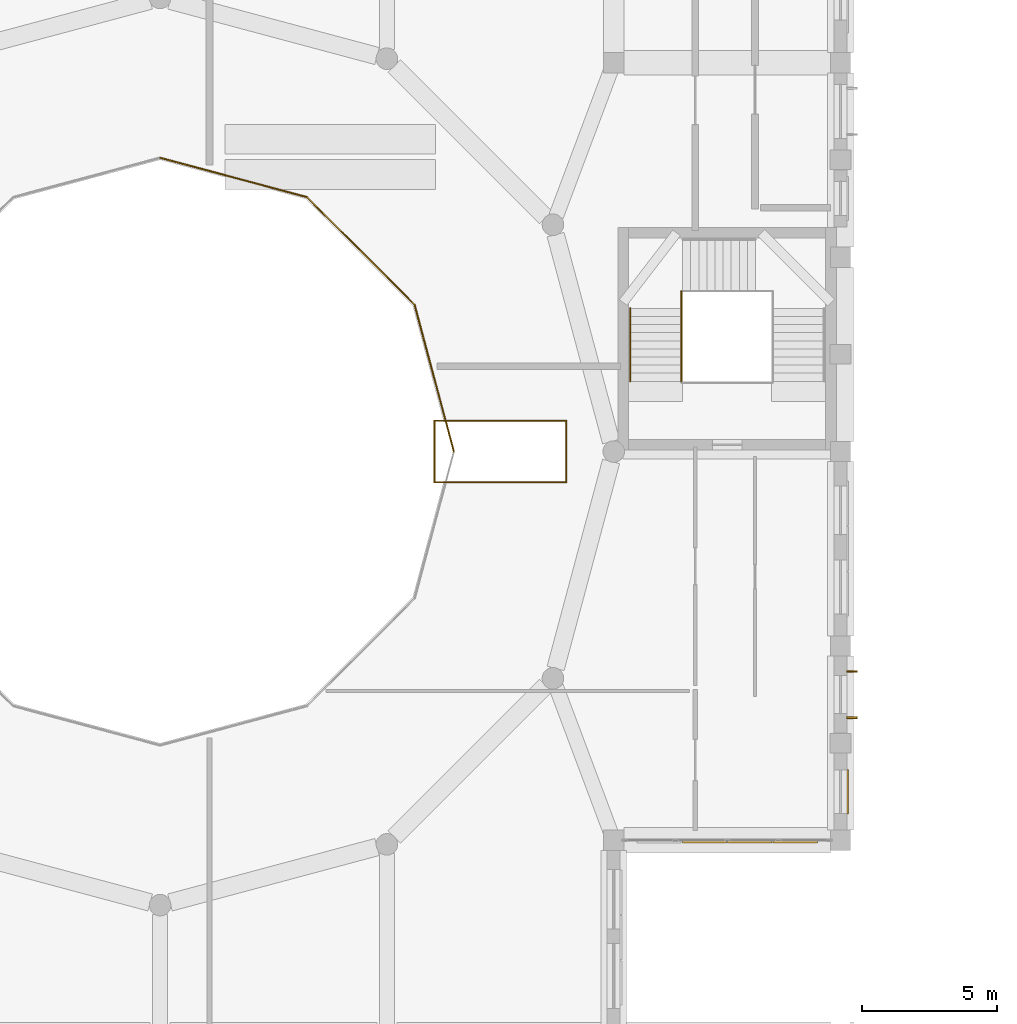
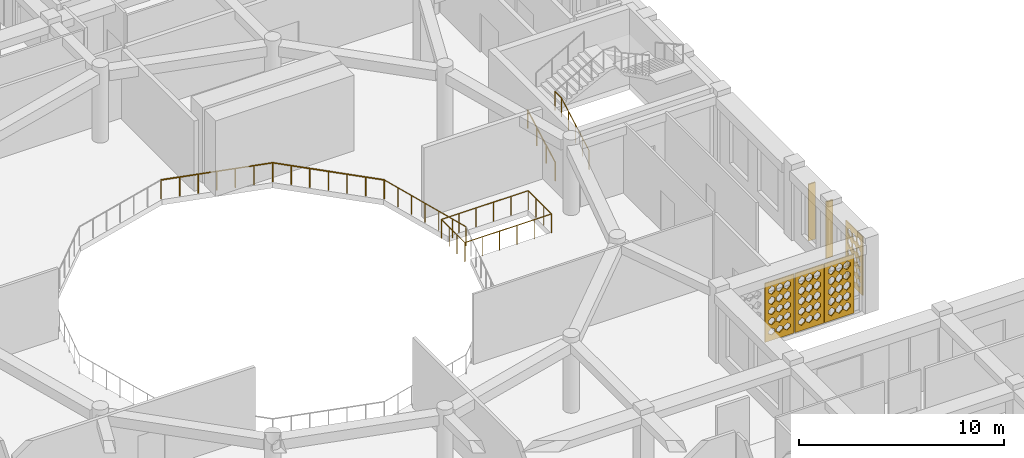
# One storey, part 101 of 121: 9 railings, 4 coverings, 2 shading devices.
"""IFC4 building model written with IfcOpenShell, lengths in metres."""

import ifcopenshell
import ifcopenshell.guid

model = None  # the IFC model being written
_history = None  # IfcOwnerHistory: only IFC2X3 demands one
_inside = {}  # id of a spatial element -> (the spatial element, [elements in it])
_under = {}  # id of a project, library or spatial element -> (it, [spatial elements below it])
_declared = {}  # id of a project -> (the project, [libraries it declares])
_typed = {}  # id of a type object -> (the type object, [elements of that type])
_made_of = {}  # id of a material, layer set ... -> (it, [elements and type objects made of it])


def new_model(schema):
    """Start an empty IFC model of exactly this schema.

    Asked for "IFC4X3", IfcOpenShell would pick the latest addendum, in which some entities
    have other attributes; the version numbers below select the first issue.
    IFC2X3 requires an IfcOwnerHistory on every rooted entity: one is made here for all.
    """
    global model, _history
    if schema == "IFC4X3":
        model = ifcopenshell.file(schema_version=(4, 3, 0, 0))
    else:
        model = ifcopenshell.file(schema=schema)
    _inside.clear()
    _under.clear()
    _declared.clear()
    _typed.clear()
    _made_of.clear()
    _history = None
    if model.schema == "IFC2X3":
        org = make("IfcOrganization", Name="unknown")
        user = make(
            "IfcPersonAndOrganization",
            ThePerson=make("IfcPerson", FamilyName="unknown"),
            TheOrganization=org,
        )
        app = make(
            "IfcApplication",
            ApplicationDeveloper=org,
            Version="unknown",
            ApplicationFullName="unknown",
            ApplicationIdentifier="unknown",
        )
        _history = make(
            "IfcOwnerHistory",
            OwningUser=user,
            OwningApplication=app,
            ChangeAction="ADDED",
            CreationDate=0,
        )
    return model


def make(cls, **values):
    """One entity of the class cls with the attributes given. An attribute that is None is left unset."""
    return model.create_entity(
        cls, **{name: value for name, value in values.items() if value is not None}
    )


def rooted(cls, **values):
    """An entity with a GlobalId (a new one), such as an element, a storey or a relation."""
    return make(cls, GlobalId=ifcopenshell.guid.new(), OwnerHistory=_history, **values)


def si_unit(unit_type, name, prefix=None):
    """IfcSIUnit, for example si_unit("LENGTHUNIT", "METRE", prefix="MILLI")."""
    return make("IfcSIUnit", UnitType=unit_type, Prefix=prefix, Name=name)


def derived_unit(unit_type, elements):
    """IfcDerivedUnit: a product of units, each with its exponent."""
    return make(
        "IfcDerivedUnit",
        Elements=[
            make("IfcDerivedUnitElement", Unit=unit, Exponent=power)
            for unit, power in elements
        ],
        UnitType=unit_type,
    )


def assignment(units):
    """IfcUnitAssignment: the units of a project."""
    return None if units is None else make("IfcUnitAssignment", Units=units)


def point(xyz):
    """IfcCartesianPoint."""
    return None if xyz is None else make("IfcCartesianPoint", Coordinates=xyz)


def direction(xyz):
    """IfcDirection."""
    return None if xyz is None else make("IfcDirection", DirectionRatios=xyz)


def frame(location, z_axis=None, x_axis=None):
    """IfcAxis2Placement3D, a coordinate frame: its origin and axes. An axis left out is left unset."""
    return make(
        "IfcAxis2Placement3D",
        Location=point(location),
        Axis=direction(z_axis),
        RefDirection=direction(x_axis),
    )


def frame_2d(location, x_axis=None):
    """IfcAxis2Placement2D, a coordinate frame in the plane: its origin and x axis."""
    return make(
        "IfcAxis2Placement2D", Location=point(location), RefDirection=direction(x_axis)
    )


def origin():
    """The frame at (0, 0, 0) with its axes left unset."""
    return frame((0.0, 0.0, 0.0))


def origin_2d():
    """The frame at (0, 0) in the plane with its x axis left unset."""
    return frame_2d((0.0, 0.0))


def place(relative_to, where):
    """IfcLocalPlacement: puts the frame where relative to a parent placement (None: the world)."""
    return make(
        "IfcLocalPlacement", PlacementRelTo=relative_to, RelativePlacement=where
    )


def context(
    kind, dimensions, precision=None, world=None, true_north=None, identifier=None
):
    """IfcGeometricRepresentationContext, for example the 3D "Model" context."""
    return make(
        "IfcGeometricRepresentationContext",
        ContextIdentifier=identifier,
        ContextType=kind,
        CoordinateSpaceDimension=dimensions,
        Precision=precision,
        WorldCoordinateSystem=world,
        TrueNorth=true_north,
    )


def subcontext(parent, identifier, kind, view, scale=None):
    """IfcGeometricRepresentationSubContext, for example "Body" below "Model"."""
    return make(
        "IfcGeometricRepresentationSubContext",
        ContextIdentifier=identifier,
        ContextType=kind,
        ParentContext=parent,
        TargetScale=scale,
        TargetView=view,
    )


def project(units=None, contexts=None):
    """IfcProject with its units and contexts."""
    return rooted(
        "IfcProject",
        Name="project",
        RepresentationContexts=contexts,
        UnitsInContext=assignment(units),
    )


def spatial(cls, under=None, at=None, **own):
    """A site, building, storey or space (cls), placed at a placement, below another one or the project."""
    s = rooted(cls, ObjectPlacement=at, **own)
    if under is not None:
        _under.setdefault(under.id(), (under, []))[1].append(s)
    return s


def polyline(points):
    """IfcPolyline through the points."""
    return make("IfcPolyline", Points=[point(p) for p in points])


def profile(cls, at=None, kind="AREA", **sizes):
    """A parametric profile (cls). Its sizes go by their IFC names, for example OverallWidth=200.0."""
    return make(cls, ProfileType=kind, Position=at, **sizes)


def rectangle(**sizes):
    """IfcRectangleProfileDef."""
    return profile("IfcRectangleProfileDef", **sizes)


def circle(**sizes):
    """IfcCircleProfileDef."""
    return profile("IfcCircleProfileDef", **sizes)


def outline(outer, holes=None, kind="AREA"):
    """IfcArbitraryClosedProfileDef: a profile drawn as a closed curve; with holes, ...WithVoids."""
    if holes is None:
        return make("IfcArbitraryClosedProfileDef", ProfileType=kind, OuterCurve=outer)
    return make(
        "IfcArbitraryProfileDefWithVoids",
        ProfileType=kind,
        OuterCurve=outer,
        InnerCurves=holes,
    )


def extrude(swept, where, along, depth):
    """IfcExtrudedAreaSolid: the profile swept, set in the frame where, extruded along a direction by depth."""
    return make(
        "IfcExtrudedAreaSolid",
        SweptArea=swept,
        Position=where,
        ExtrudedDirection=direction(along),
        Depth=depth,
    )


def shape(context_of_items, identifier, shape_type, items):
    """IfcShapeRepresentation: the items that make up one representation, for example the "Body"."""
    return make(
        "IfcShapeRepresentation",
        ContextOfItems=context_of_items,
        RepresentationIdentifier=identifier,
        RepresentationType=shape_type,
        Items=items,
    )


def material(Name=None, Category=None):
    """IfcMaterial."""
    return make("IfcMaterial", Name=Name, Category=Category)


def layer(
    of_material, thickness, ventilated=None, Name=None, Category=None, Priority=None
):
    """IfcMaterialLayer: one layer of a wall or slab, of a material (None: an air gap)."""
    return make(
        "IfcMaterialLayer",
        Material=of_material,
        LayerThickness=thickness,
        IsVentilated=ventilated,
        Name=Name,
        Category=Category,
        Priority=Priority,
    )


def layer_set(layers, Name=None):
    """IfcMaterialLayerSet."""
    return make("IfcMaterialLayerSet", MaterialLayers=layers, LayerSetName=Name)


def made_of(thing, what):
    """Note that an element or type object is made of a material, layer set ...; save() writes the relation."""
    if what is not None:
        _made_of.setdefault(what.id(), (what, []))[1].append(thing)
    return thing


def type_object(cls, material=None, **own):
    """A type object (cls), such as IfcWallType, which elements share."""
    return made_of(rooted(cls, **own), material)


def element(
    cls,
    number,
    at=None,
    inside=None,
    cuts=None,
    type_object=None,
    material=None,
    context=None,
    identifier="Body",
    shape_type=None,
    held_by="IfcProductDefinitionShape",
    body=None,
    shapes=None,
    **own,
):
    """One element of the class cls, such as IfcWall. Its Tag is "e" and its number.

    at: its placement. inside: the storey or other place that contains it. cuts: it is an
    opening in that element (IfcRelVoidsElement). A single representation is given by context,
    identifier, shape_type and body (its items); several are given by shapes. held_by: the class
    of the entity that holds the representations. save() writes the other relations.
    """
    e = rooted(cls, Tag="e%d" % number, ObjectPlacement=at, **own)
    if body is not None:
        shapes = [shape(context, identifier, shape_type, body)]
    if shapes is not None:
        e.Representation = make(held_by, Representations=shapes)
    if inside is not None:
        _inside.setdefault(inside.id(), (inside, []))[1].append(e)
    if cuts is not None:
        rooted(
            "IfcRelVoidsElement", RelatingBuildingElement=cuts, RelatedOpeningElement=e
        )
    if type_object is not None:
        _typed.setdefault(type_object.id(), (type_object, []))[1].append(e)
    return made_of(e, material)


def aggregate(whole, parts):
    """IfcRelAggregates: a whole, such as a stair, and the parts it consists of."""
    return rooted("IfcRelAggregates", RelatingObject=whole, RelatedObjects=parts)


def save(model, path):
    """Write the relations noted so far, then the file.

    IfcRelAggregates (storeys below a building ...), IfcRelContainedInSpatialStructure (elements
    in a storey), IfcRelDefinesByType, IfcRelAssociatesMaterial and IfcRelDeclares: one each for
    every whole, place, type object, material and project.
    """
    for whole, parts in _under.values():
        aggregate(whole, parts)
    for where, things in _inside.values():
        rooted(
            "IfcRelContainedInSpatialStructure",
            RelatedElements=things,
            RelatingStructure=where,
        )
    for kind, things in _typed.values():
        rooted("IfcRelDefinesByType", RelatedObjects=things, RelatingType=kind)
    for what, things in _made_of.values():
        rooted("IfcRelAssociatesMaterial", RelatedObjects=things, RelatingMaterial=what)
    for by, libraries in _declared.values():
        rooted("IfcRelDeclares", RelatingContext=by, RelatedDefinitions=libraries)
    model.write(path)


model = new_model("IFC4")

# Units and contexts
model_context = context("Model", 3, precision=1e-05, world=origin(), true_north=direction((0.0, 1.0)))
body_context = subcontext(model_context, "Body", "Model", "MODEL_VIEW")
ifc_project = project(units=[si_unit("LENGTHUNIT", "METRE"), si_unit("AREAUNIT", "SQUARE_METRE"), si_unit("VOLUMEUNIT", "CUBIC_METRE"), si_unit("PLANEANGLEUNIT", "RADIAN"), si_unit("MASSUNIT", "GRAM", prefix="KILO"), derived_unit("THERMALTRANSMITTANCEUNIT", [(si_unit("POWERUNIT", "WATT"), 1), (si_unit("LENGTHUNIT", "METRE"), -2), (si_unit("THERMODYNAMICTEMPERATUREUNIT", "KELVIN"), -1)])], contexts=[model_context])

# Site, building, storey
site_placement = place(None, origin())
site = spatial("IfcSite", under=ifc_project, at=site_placement, CompositionType="ELEMENT")
building_placement = place(site_placement, origin())
building = spatial("IfcBuilding", under=site, at=building_placement, Name="Veybourne Emporium", CompositionType="ELEMENT")
storey_placement = place(building_placement, frame((0.0, 0.0, 5.39990234375)))
storey = spatial("IfcBuildingStorey", under=building, at=storey_placement, Name="L01", CompositionType="ELEMENT", Elevation=5.39990234375)

# Railings
ifc_material_1 = material(Name="Patinated Architectural Bronze", Category="bronze")
railing_type_1 = type_object("IfcRailingType", Name="Balustrade_BL-01", PredefinedType="BALUSTRADE", material=ifc_material_1)
railing_1_placement = place(storey_placement, frame((86.47998046875, 50.39990234375, 0.0)))
element("IfcRailing", 1, at=railing_1_placement, inside=storey, type_object=railing_type_1, Name="L01 central atrium void balustrade 01", PredefinedType="BALUSTRADE", context=body_context, shape_type="SweptSolid", body=[
    extrude(circle(Radius=0.02392578125, at=origin_2d()), frame((0.0, 0.0, 1.1259765625), z_axis=(-0.25879025426, 0.965933540312, 0.0), x_axis=(-0.965933540312, -0.25879025426, 0.0)), (0.0, 0.0, 1.0), 5.632080078125),
    extrude(circle(Radius=0.02099609375, at=origin_2d()), origin(), (0.0, 0.0, 1.0), 1.101806640625),
    extrude(circle(Radius=0.02099609375, at=origin_2d()), frame((-0.242919921875, 0.90673828125, 0.0)), (0.0, 0.0, 1.0), 1.101806640625),
    extrude(circle(Radius=0.02099609375, at=origin_2d()), frame((-0.48583984375, 1.8134765625, 0.0)), (0.0, 0.0, 1.0), 1.101806640625),
    extrude(circle(Radius=0.02099609375, at=origin_2d()), frame((-0.728759765625, 2.72021484375, 0.0)), (0.0, 0.0, 1.0), 1.101806640625),
    extrude(circle(Radius=0.02099609375, at=origin_2d()), frame((-0.9716796875, 3.626708984375, 0.0)), (0.0, 0.0, 1.0), 1.101806640625),
    extrude(circle(Radius=0.02099609375, at=origin_2d()), frame((-1.214599609375, 4.533447265625, 0.0)), (0.0, 0.0, 1.0), 1.101806640625),
    extrude(circle(Radius=0.02099609375, at=origin_2d()), frame((-1.45751953125, 5.440185546875, 0.0)), (0.0, 0.0, 1.0), 1.101806640625),
])
railing_2_placement = place(storey_placement, frame((85.0224609375, 55.840087890625, 0.0)))
element("IfcRailing", 2, at=railing_2_placement, inside=storey, type_object=railing_type_1, Name="L01 central atrium void balustrade 02", PredefinedType="BALUSTRADE", context=body_context, shape_type="SweptSolid", body=[
    extrude(circle(Radius=0.02392578125, at=origin_2d()), frame((0.0, 0.0, 1.1259765625), z_axis=(-0.707128455954, 0.707085105755, 0.0), x_axis=(-0.707085105755, -0.707128455954, 0.0)), (0.0, 0.0, 1.0), 5.6318359375),
    extrude(circle(Radius=0.02099609375, at=origin_2d()), origin(), (0.0, 0.0, 1.0), 1.101806640625),
    extrude(circle(Radius=0.02099609375, at=origin_2d()), frame((-0.663818359375, 0.66357421875, 0.0)), (0.0, 0.0, 1.0), 1.101806640625),
    extrude(circle(Radius=0.02099609375, at=origin_2d()), frame((-1.327392578125, 1.327392578125, 0.0)), (0.0, 0.0, 1.0), 1.101806640625),
    extrude(circle(Radius=0.02099609375, at=origin_2d()), frame((-1.9912109375, 1.9912109375, 0.0)), (0.0, 0.0, 1.0), 1.101806640625),
    extrude(circle(Radius=0.02099609375, at=origin_2d()), frame((-2.655029296875, 2.65478515625, 0.0)), (0.0, 0.0, 1.0), 1.101806640625),
    extrude(circle(Radius=0.02099609375, at=origin_2d()), frame((-3.318603515625, 3.318359375, 0.0)), (0.0, 0.0, 1.0), 1.101806640625),
    extrude(circle(Radius=0.02099609375, at=origin_2d()), frame((-3.982421875, 3.982177734375, 0.0)), (0.0, 0.0, 1.0), 1.101806640625),
])
railing_3_placement = place(storey_placement, frame((81.0400390625, 59.822265625, 0.0)))
element("IfcRailing", 3, at=railing_3_placement, inside=storey, type_object=railing_type_1, Name="L01 central atrium void balustrade 03", PredefinedType="BALUSTRADE", context=body_context, shape_type="SweptSolid", body=[
    extrude(circle(Radius=0.02392578125, at=origin_2d()), frame((0.0, 0.0, 1.1259765625), z_axis=(-0.965919799386, 0.258841536762, 0.0), x_axis=(-0.258841536762, -0.965919799386, 0.0)), (0.0, 0.0, 1.0), 5.6318359375),
    extrude(circle(Radius=0.02099609375, at=origin_2d()), origin(), (0.0, 0.0, 1.0), 1.101806640625),
    extrude(circle(Radius=0.02099609375, at=origin_2d()), frame((-0.90673828125, 0.242919921875, 0.0)), (0.0, 0.0, 1.0), 1.101806640625),
    extrude(circle(Radius=0.02099609375, at=origin_2d()), frame((-1.813232421875, 0.48583984375, 0.0)), (0.0, 0.0, 1.0), 1.101806640625),
    extrude(circle(Radius=0.02099609375, at=origin_2d()), frame((-2.719970703125, 0.72900390625, 0.0)), (0.0, 0.0, 1.0), 1.101806640625),
    extrude(circle(Radius=0.02099609375, at=origin_2d()), frame((-3.626708984375, 0.971923828125, 0.0)), (0.0, 0.0, 1.0), 1.101806640625),
    extrude(circle(Radius=0.02099609375, at=origin_2d()), frame((-4.533203125, 1.21484375, 0.0)), (0.0, 0.0, 1.0), 1.101806640625),
    extrude(circle(Radius=0.02099609375, at=origin_2d()), frame((-5.43994140625, 1.457763671875, 0.0)), (0.0, 0.0, 1.0), 1.101806640625),
])
railing_4_placement = place(storey_placement, frame((85.760009765625, 49.260009765625, 0.0)))
element("IfcRailing", 4, at=railing_4_placement, inside=storey, type_object=railing_type_1, Name="L01 escalator well balustrade 1.1", PredefinedType="BALUSTRADE", context=body_context, shape_type="SweptSolid", body=[
    extrude(circle(Radius=0.02392578125, at=origin_2d()), frame((0.0, 0.0, 1.1259765625), z_axis=(1.0, 0.0, 0.0), x_axis=(0.0, 1.0, 0.0)), (0.0, 0.0, 1.0), 4.8798828125),
    extrude(circle(Radius=0.02099609375, at=origin_2d()), origin(), (0.0, 0.0, 1.0), 1.101806640625),
    extrude(circle(Radius=0.02099609375, at=origin_2d()), frame((0.97607421875, 0.0, 0.0)), (0.0, 0.0, 1.0), 1.101806640625),
    extrude(circle(Radius=0.02099609375, at=origin_2d()), frame((1.951904296875, 0.0, 0.0)), (0.0, 0.0, 1.0), 1.101806640625),
    extrude(circle(Radius=0.02099609375, at=origin_2d()), frame((2.927978515625, 0.0, 0.0)), (0.0, 0.0, 1.0), 1.101806640625),
    extrude(circle(Radius=0.02099609375, at=origin_2d()), frame((3.90380859375, 0.0, 0.0)), (0.0, 0.0, 1.0), 1.101806640625),
    extrude(circle(Radius=0.02099609375, at=origin_2d()), frame((4.8798828125, 0.0, 0.0)), (0.0, 0.0, 1.0), 1.101806640625),
])
railing_5_placement = place(storey_placement, frame((90.639892578125, 49.260009765625, 0.0)))
element("IfcRailing", 5, at=railing_5_placement, inside=storey, type_object=railing_type_1, Name="L01 escalator well balustrade 1.2", PredefinedType="BALUSTRADE", context=body_context, shape_type="SweptSolid", body=[
    extrude(circle(Radius=0.02392578125, at=origin_2d()), frame((0.0, 0.0, 1.1259765625), z_axis=(0.0, 1.0, 0.0), x_axis=(-1.0, 0.0, 0.0)), (0.0, 0.0, 1.0), 2.280029296875),
    extrude(circle(Radius=0.02099609375, at=origin_2d()), origin(), (0.0, 0.0, 1.0), 1.101806640625),
    extrude(circle(Radius=0.02099609375, at=origin_2d()), frame((0.0, 0.760009765625, 0.0)), (0.0, 0.0, 1.0), 1.101806640625),
    extrude(circle(Radius=0.02099609375, at=origin_2d()), frame((0.0, 1.52001953125, 0.0)), (0.0, 0.0, 1.0), 1.101806640625),
    extrude(circle(Radius=0.02099609375, at=origin_2d()), frame((0.0, 2.280029296875, 0.0)), (0.0, 0.0, 1.0), 1.101806640625),
])
railing_6_placement = place(storey_placement, frame((90.639892578125, 51.5400390625, 0.0)))
element("IfcRailing", 6, at=railing_6_placement, inside=storey, type_object=railing_type_1, Name="L01 escalator well balustrade 1.3", PredefinedType="BALUSTRADE", context=body_context, shape_type="SweptSolid", body=[
    extrude(circle(Radius=0.02392578125, at=origin_2d()), frame((0.0, 0.0, 1.1259765625), z_axis=(-1.0, 0.0, 0.0), x_axis=(0.0, -1.0, 0.0)), (0.0, 0.0, 1.0), 4.8798828125),
    extrude(circle(Radius=0.02099609375, at=origin_2d()), origin(), (0.0, 0.0, 1.0), 1.101806640625),
    extrude(circle(Radius=0.02099609375, at=origin_2d()), frame((-0.97607421875, 0.0, 0.0)), (0.0, 0.0, 1.0), 1.101806640625),
    extrude(circle(Radius=0.02099609375, at=origin_2d()), frame((-1.951904296875, 0.0, 0.0)), (0.0, 0.0, 1.0), 1.101806640625),
    extrude(circle(Radius=0.02099609375, at=origin_2d()), frame((-2.927978515625, 0.0, 0.0)), (0.0, 0.0, 1.0), 1.101806640625),
    extrude(circle(Radius=0.02099609375, at=origin_2d()), frame((-3.90380859375, 0.0, 0.0)), (0.0, 0.0, 1.0), 1.101806640625),
    extrude(circle(Radius=0.02099609375, at=origin_2d()), frame((-4.8798828125, 0.0, 0.0)), (0.0, 0.0, 1.0), 1.101806640625),
])
railing_7_placement = place(storey_placement, frame((85.760009765625, 51.5400390625, 0.0)))
element("IfcRailing", 7, at=railing_7_placement, inside=storey, type_object=railing_type_1, Name="L01 escalator well balustrade 1.4", PredefinedType="BALUSTRADE", context=body_context, shape_type="SweptSolid", body=[
    extrude(circle(Radius=0.02392578125, at=origin_2d()), frame((0.0, 0.0, 1.1259765625), z_axis=(0.0, -1.0, 0.0), x_axis=(1.0, 0.0, 0.0)), (0.0, 0.0, 1.0), 2.280029296875),
    extrude(circle(Radius=0.02099609375, at=origin_2d()), origin(), (0.0, 0.0, 1.0), 1.101806640625),
    extrude(circle(Radius=0.02099609375, at=origin_2d()), frame((0.0, -0.760009765625, 0.0)), (0.0, 0.0, 1.0), 1.101806640625),
    extrude(circle(Radius=0.02099609375, at=origin_2d()), frame((0.0, -1.52001953125, 0.0)), (0.0, 0.0, 1.0), 1.101806640625),
    extrude(circle(Radius=0.02099609375, at=origin_2d()), frame((0.0, -2.280029296875, 0.0)), (0.0, 0.0, 1.0), 1.101806640625),
])
ifc_material_2 = material(Name="Brushed Stainless Steel", Category="steel")
railing_type_2 = type_object("IfcRailingType", Name="Guard_GR-01", PredefinedType="GUARDRAIL", material=ifc_material_2)
railing_8_placement = place(storey_placement, frame((94.909912109375, 53.0, 0.0)))
element("IfcRailing", 8, at=railing_8_placement, inside=storey, type_object=railing_type_2, Name="L01 ST-07 stair guard 1", PredefinedType="GUARDRAIL", context=body_context, shape_type="SweptSolid", body=[
    extrude(circle(Radius=0.02392578125, at=origin_2d()), frame((0.0, 0.0, 1.1259765625), z_axis=(0.0, 0.87415354758, 0.485649642493), x_axis=(-1.0, 0.0, 0.0)), (0.0, 0.0, 1.0), 3.088623046875),
    extrude(circle(Radius=0.02392578125, at=origin_2d()), frame((0.0, 2.699951171875, 2.6259765625), z_axis=(0.0, 1.0, 0.0), x_axis=(-1.0, 0.0, 0.0)), (0.0, 0.0, 1.0), 0.64013671875),
    extrude(circle(Radius=0.02099609375, at=origin_2d()), origin(), (0.0, 0.0, 1.0), 1.101806640625),
    extrude(circle(Radius=0.02099609375, at=origin_2d()), frame((0.0, 0.675048828125, 0.375)), (0.0, 0.0, 1.0), 1.101806640625),
    extrude(circle(Radius=0.02099609375, at=origin_2d()), frame((0.0, 1.35009765625, 0.75)), (0.0, 0.0, 1.0), 1.101806640625),
    extrude(circle(Radius=0.02099609375, at=origin_2d()), frame((0.0, 2.02490234375, 1.125)), (0.0, 0.0, 1.0), 1.101806640625),
    extrude(circle(Radius=0.02099609375, at=origin_2d()), frame((0.0, 2.699951171875, 1.5)), (0.0, 0.0, 1.0), 1.101806640625),
    extrude(circle(Radius=0.02099609375, at=origin_2d()), frame((0.0, 3.340087890625, 1.5)), (0.0, 0.0, 1.0), 1.101806640625),
])
railing_type_3 = type_object("IfcRailingType", Name="Handrail_HR-01", PredefinedType="HANDRAIL", material=ifc_material_2)
railing_9_placement = place(storey_placement, frame((93.010009765625, 53.0, 0.150146484375)))
element("IfcRailing", 9, at=railing_9_placement, inside=storey, type_object=railing_type_3, Name="L01 ST-07 pitch handrail 1", PredefinedType="HANDRAIL", context=body_context, shape_type="SweptSolid", body=[
    extrude(circle(Radius=0.02392578125, at=origin_2d()), frame((0.0, 0.0, 0.92578125), z_axis=(0.0, 0.87415354758, 0.485649642493), x_axis=(-1.0, 0.0, 0.0)), (0.0, 0.0, 1.0), 3.088623046875),
    extrude(circle(Radius=0.02099609375, at=origin_2d()), frame((0.0, 0.0, -0.14990234375)), (0.0, 0.0, 1.0), 1.0517578125),
    extrude(circle(Radius=0.02099609375, at=origin_2d()), frame((0.0, 0.89990234375, 0.35009765625)), (0.0, 0.0, 1.0), 1.0517578125),
    extrude(circle(Radius=0.02099609375, at=origin_2d()), frame((0.0, 1.800048828125, 0.85009765625)), (0.0, 0.0, 1.0), 1.0517578125),
    extrude(circle(Radius=0.02099609375, at=origin_2d()), frame((0.0, 2.699951171875, 1.35009765625)), (0.0, 0.0, 1.0), 1.0517578125),
])

# Shading devices
shading_device_type = type_object("IfcShadingDeviceType", Name="SolarFin_FIN-01", PredefinedType="USERDEFINED", material=ifc_material_1)
for number, where, z_axis, x_axis, name in (
    (10, (101.22900390625, 42.25390625, 0.125244140625), (0.0, 0.0, 1.0), (0.0, -1.0, 0.0), "L01 bronze brise-soleil fin FIN-01 (49A.1)"),
    (11, (101.22900390625, 40.541015625, 0.125244140625), (0.0, 0.0, 1.0), (0.0, -1.0, 0.0), "L01 bronze brise-soleil fin FIN-01 (49A.2)"),
):
    element("IfcShadingDevice", number, at=place(storey_placement, frame(where, z_axis=z_axis, x_axis=x_axis)), inside=storey, type_object=shading_device_type, Name=name, ObjectType="FIN", PredefinedType="USERDEFINED", context=body_context, shape_type="SweptSolid", body=[
        extrude(rectangle(XDim=0.06494140625, YDim=0.3798828125, at=origin_2d()), origin(), (0.0, 0.0, 1.0), 3.3798828125),
    ])

# Coverings
ifc_material_3 = material(Name="Warm-White Perforated Aluminium Screen Alloy", Category="aluminium")
ifc_layer_1 = layer(ifc_material_3, 0.06005859375)
ifc_layer_set_1 = layer_set([ifc_layer_1], Name="Warm-White Perforated Aluminium Screen Alloy")
covering_type_1 = type_object("IfcCoveringType", Name="WaveScreen_SCR-01", PredefinedType="CLADDING", material=ifc_layer_set_1)
covering_1_placement = place(storey_placement, frame((95.760009765625, 35.906982421875, 1.815185546875), z_axis=(0.0, 1.0, 0.0), x_axis=(-1.0, 0.0, 0.0)))
element("IfcCovering", 12, at=covering_1_placement, inside=storey, type_object=covering_type_1, Name="L01 wave-perforated aluminium screen SCR-01 (48C.3)", PredefinedType="CLADDING", context=body_context, shape_type="SweptSolid", body=[
    extrude(outline(polyline([(-0.81982421875, -1.7548828125), (0.81982421875, -1.7548828125), (0.81982421875, 1.7548828125), (-0.81982421875, 1.7548828125), (-0.81982421875, -1.7548828125)]), holes=[polyline([(-0.433349609375, -1.009033203125), (-0.2470703125, -1.149169921875), (-0.2470703125, -1.306884765625), (-0.433349609375, -1.447021484375), (-0.61962890625, -1.306884765625), (-0.61962890625, -1.149169921875), (-0.433349609375, -1.009033203125)]), polyline([(-0.433349609375, -0.382080078125), (-0.2470703125, -0.530517578125), (-0.2470703125, -0.697509765625), (-0.433349609375, -0.845947265625), (-0.61962890625, -0.697509765625), (-0.61962890625, -0.530517578125), (-0.433349609375, -0.382080078125)]), polyline([(-0.433349609375, 0.243896484375), (-0.2470703125, 0.087890625), (-0.2470703125, -0.087890625), (-0.433349609375, -0.243896484375), (-0.61962890625, -0.087890625), (-0.61962890625, 0.087890625), (-0.433349609375, 0.243896484375)]), polyline([(-0.433349609375, 0.8681640625), (-0.2470703125, 0.70556640625), (-0.2470703125, 0.5224609375), (-0.433349609375, 0.35986328125), (-0.61962890625, 0.5224609375), (-0.61962890625, 0.70556640625), (-0.433349609375, 0.8681640625)]), polyline([(-0.433349609375, 1.490478515625), (-0.2470703125, 1.322509765625), (-0.2470703125, 1.133544921875), (-0.433349609375, 0.96533203125), (-0.61962890625, 1.133544921875), (-0.61962890625, 1.322509765625), (-0.433349609375, 1.490478515625)]), polyline([(0.0, -1.01513671875), (0.18408203125, -1.1513671875), (0.18408203125, -1.3046875), (0.0, -1.44091796875), (-0.18408203125, -1.3046875), (-0.18408203125, -1.1513671875), (0.0, -1.01513671875)]), polyline([(0.0, -0.3876953125), (0.186279296875, -0.53271484375), (0.186279296875, -0.6953125), (0.0, -0.840087890625), (-0.186279296875, -0.6953125), (-0.186279296875, -0.53271484375), (0.0, -0.3876953125)]), polyline([(0.0, 0.238525390625), (0.186279296875, 0.0859375), (0.186279296875, -0.0859375), (0.0, -0.238525390625), (-0.186279296875, -0.0859375), (-0.186279296875, 0.0859375), (0.0, 0.238525390625)]), polyline([(0.0, 0.863525390625), (0.186279296875, 0.703857421875), (0.186279296875, 0.524169921875), (0.0, 0.364501953125), (-0.186279296875, 0.524169921875), (-0.186279296875, 0.703857421875), (0.0, 0.863525390625)]), polyline([(0.0, 1.487060546875), (0.186279296875, 1.3212890625), (0.186279296875, 1.134765625), (0.0, 0.968994140625), (-0.186279296875, 1.134765625), (-0.186279296875, 1.3212890625), (0.0, 1.487060546875)]), polyline([(0.433349609375, -1.021484375), (0.6123046875, -1.153564453125), (0.6123046875, -1.302490234375), (0.433349609375, -1.4345703125), (0.25439453125, -1.302490234375), (0.25439453125, -1.153564453125), (0.433349609375, -1.021484375)]), polyline([(0.433349609375, -0.393798828125), (0.61962890625, -0.53466796875), (0.61962890625, -0.693359375), (0.433349609375, -0.834228515625), (0.2470703125, -0.693359375), (0.2470703125, -0.53466796875), (0.433349609375, -0.393798828125)]), polyline([(0.433349609375, 0.233154296875), (0.61962890625, 0.083984375), (0.61962890625, -0.083984375), (0.433349609375, -0.233154296875), (0.2470703125, -0.083984375), (0.2470703125, 0.083984375), (0.433349609375, 0.233154296875)]), polyline([(0.433349609375, 0.85888671875), (0.61962890625, 0.7021484375), (0.61962890625, 0.52587890625), (0.433349609375, 0.369140625), (0.2470703125, 0.52587890625), (0.2470703125, 0.7021484375), (0.433349609375, 0.85888671875)]), polyline([(0.433349609375, 1.48291015625), (0.61962890625, 1.31982421875), (0.61962890625, 1.13623046875), (0.433349609375, 0.972900390625), (0.2470703125, 1.13623046875), (0.2470703125, 1.31982421875), (0.433349609375, 1.48291015625)])]), origin(), (0.0, 0.0, 1.0), 0.06005859375),
])
ifc_layer_2 = layer(ifc_material_3, 0.06005859375)
ifc_layer_set_2 = layer_set([ifc_layer_2], Name="Warm-White Perforated Aluminium Screen Alloy")
covering_type_2 = type_object("IfcCoveringType", Name="WaveScreen_SCR-03", PredefinedType="CLADDING", material=ifc_layer_set_2)
covering_2_placement = place(storey_placement, frame((99.1201171875, 35.906982421875, 1.815185546875), z_axis=(0.0, 1.0, 0.0), x_axis=(-1.0, 0.0, 0.0)))
element("IfcCovering", 13, at=covering_2_placement, inside=storey, type_object=covering_type_2, Name="L01 wave-perforated aluminium screen SCR-03 (48C.1)", PredefinedType="CLADDING", context=body_context, shape_type="SweptSolid", body=[
    extrude(outline(polyline([(-0.81982421875, -1.7548828125), (0.81982421875, -1.7548828125), (0.81982421875, 1.7548828125), (-0.81982421875, 1.7548828125), (-0.81982421875, -1.7548828125)]), holes=[polyline([(-0.433349609375, -0.96923828125), (-0.2470703125, -1.135009765625), (-0.2470703125, -1.321044921875), (-0.433349609375, -1.48681640625), (-0.61962890625, -1.321044921875), (-0.61962890625, -1.135009765625), (-0.433349609375, -0.96923828125)]), polyline([(-0.433349609375, -0.35009765625), (-0.2470703125, -0.51904296875), (-0.2470703125, -0.708984375), (-0.433349609375, -0.8779296875), (-0.61962890625, -0.708984375), (-0.61962890625, -0.51904296875), (-0.433349609375, -0.35009765625)]), polyline([(-0.433349609375, 0.263916015625), (-0.2470703125, 0.094970703125), (-0.2470703125, -0.094970703125), (-0.433349609375, -0.263916015625), (-0.61962890625, -0.094970703125), (-0.61962890625, 0.094970703125), (-0.433349609375, 0.263916015625)]), polyline([(-0.433349609375, 0.8779296875), (-0.2470703125, 0.708984375), (-0.2470703125, 0.51904296875), (-0.433349609375, 0.35009765625), (-0.61962890625, 0.51904296875), (-0.61962890625, 0.708984375), (-0.433349609375, 0.8779296875)]), polyline([(-0.433349609375, 1.491943359375), (-0.2470703125, 1.322998046875), (-0.2470703125, 1.133056640625), (-0.433349609375, 0.964111328125), (-0.61962890625, 1.133056640625), (-0.61962890625, 1.322998046875), (-0.433349609375, 1.491943359375)]), polyline([(0.0, -0.973388671875), (0.186279296875, -1.13623046875), (0.186279296875, -1.319580078125), (0.0, -1.482666015625), (-0.186279296875, -1.319580078125), (-0.186279296875, -1.13623046875), (0.0, -0.973388671875)]), polyline([(0.0, -0.35107421875), (0.186279296875, -0.519287109375), (0.186279296875, -0.708740234375), (0.0, -0.876953125), (-0.186279296875, -0.708740234375), (-0.186279296875, -0.519287109375), (0.0, -0.35107421875)]), polyline([(0.0, 0.263916015625), (0.186279296875, 0.094970703125), (0.186279296875, -0.094970703125), (0.0, -0.263916015625), (-0.186279296875, -0.094970703125), (-0.186279296875, 0.094970703125), (0.0, 0.263916015625)]), polyline([(0.0, 0.8779296875), (0.186279296875, 0.708984375), (0.186279296875, 0.51904296875), (0.0, 0.35009765625), (-0.186279296875, 0.51904296875), (-0.186279296875, 0.708984375), (0.0, 0.8779296875)]), polyline([(0.0, 1.491943359375), (0.186279296875, 1.322998046875), (0.186279296875, 1.133056640625), (0.0, 0.964111328125), (-0.186279296875, 1.133056640625), (-0.186279296875, 1.322998046875), (0.0, 1.491943359375)]), polyline([(0.433349609375, -0.977783203125), (0.61962890625, -1.137939453125), (0.61962890625, -1.318115234375), (0.433349609375, -1.478271484375), (0.2470703125, -1.318115234375), (0.2470703125, -1.137939453125), (0.433349609375, -0.977783203125)]), polyline([(0.433349609375, -0.3544921875), (0.61962890625, -0.5205078125), (0.61962890625, -0.70751953125), (0.433349609375, -0.87353515625), (0.2470703125, -0.70751953125), (0.2470703125, -0.5205078125), (0.433349609375, -0.3544921875)]), polyline([(0.433349609375, 0.263916015625), (0.61962890625, 0.094970703125), (0.61962890625, -0.094970703125), (0.433349609375, -0.263916015625), (0.2470703125, -0.094970703125), (0.2470703125, 0.094970703125), (0.433349609375, 0.263916015625)]), polyline([(0.433349609375, 0.8779296875), (0.61962890625, 0.708984375), (0.61962890625, 0.51904296875), (0.433349609375, 0.35009765625), (0.2470703125, 0.51904296875), (0.2470703125, 0.708984375), (0.433349609375, 0.8779296875)]), polyline([(0.433349609375, 1.491943359375), (0.61962890625, 1.322998046875), (0.61962890625, 1.133056640625), (0.433349609375, 0.964111328125), (0.2470703125, 1.133056640625), (0.2470703125, 1.322998046875), (0.433349609375, 1.491943359375)])]), origin(), (0.0, 0.0, 1.0), 0.06005859375),
])
ifc_layer_3 = layer(ifc_material_3, 0.06005859375)
ifc_layer_set_3 = layer_set([ifc_layer_3], Name="Warm-White Perforated Aluminium Screen Alloy")
covering_type_3 = type_object("IfcCoveringType", Name="WaveScreen_SCR-04", PredefinedType="CLADDING", material=ifc_layer_set_3)
covering_3_placement = place(storey_placement, frame((97.43994140625, 35.906982421875, 1.815185546875), z_axis=(0.0, 1.0, 0.0), x_axis=(-1.0, 0.0, 0.0)))
element("IfcCovering", 14, at=covering_3_placement, inside=storey, type_object=covering_type_3, Name="L01 wave-perforated aluminium screen SCR-04 (48C.2)", PredefinedType="CLADDING", context=body_context, shape_type="SweptSolid", body=[
    extrude(outline(polyline([(-0.81982421875, -1.7548828125), (0.81982421875, -1.7548828125), (0.81982421875, 1.7548828125), (-0.81982421875, 1.7548828125), (-0.81982421875, -1.7548828125)]), holes=[polyline([(-0.433349609375, -0.98681640625), (-0.2470703125, -1.14111328125), (-0.2470703125, -1.314697265625), (-0.433349609375, -1.468994140625), (-0.61962890625, -1.314697265625), (-0.61962890625, -1.14111328125), (-0.433349609375, -0.98681640625)]), polyline([(-0.433349609375, -0.3623046875), (-0.2470703125, -0.5234375), (-0.2470703125, -0.70458984375), (-0.433349609375, -0.86572265625), (-0.61962890625, -0.70458984375), (-0.61962890625, -0.5234375), (-0.433349609375, -0.3623046875)]), polyline([(-0.433349609375, 0.2607421875), (-0.2470703125, 0.093994140625), (-0.2470703125, -0.093994140625), (-0.433349609375, -0.2607421875), (-0.61962890625, -0.093994140625), (-0.61962890625, 0.093994140625), (-0.433349609375, 0.2607421875)]), polyline([(-0.433349609375, 0.8779296875), (-0.2470703125, 0.708984375), (-0.2470703125, 0.51904296875), (-0.433349609375, 0.35009765625), (-0.61962890625, 0.51904296875), (-0.61962890625, 0.708984375), (-0.433349609375, 0.8779296875)]), polyline([(-0.433349609375, 1.491943359375), (-0.2470703125, 1.322998046875), (-0.2470703125, 1.133056640625), (-0.433349609375, 0.964111328125), (-0.61962890625, 1.133056640625), (-0.61962890625, 1.322998046875), (-0.433349609375, 1.491943359375)]), polyline([(0.0, -0.9921875), (0.186279296875, -1.14306640625), (0.186279296875, -1.31298828125), (0.0, -1.463623046875), (-0.186279296875, -1.31298828125), (-0.186279296875, -1.14306640625), (0.0, -0.9921875)]), polyline([(0.0, -0.366943359375), (0.186279296875, -0.52490234375), (0.186279296875, -0.702880859375), (0.0, -0.861083984375), (-0.186279296875, -0.702880859375), (-0.186279296875, -0.52490234375), (0.0, -0.366943359375)]), polyline([(0.0, 0.2568359375), (0.186279296875, 0.092529296875), (0.186279296875, -0.092529296875), (0.0, -0.2568359375), (-0.186279296875, -0.092529296875), (-0.186279296875, 0.092529296875), (0.0, 0.2568359375)]), polyline([(0.0, 0.8779296875), (0.186279296875, 0.708984375), (0.186279296875, 0.51904296875), (0.0, 0.35009765625), (-0.186279296875, 0.51904296875), (-0.186279296875, 0.708984375), (0.0, 0.8779296875)]), polyline([(0.0, 1.491943359375), (0.186279296875, 1.322998046875), (0.186279296875, 1.133056640625), (0.0, 0.964111328125), (-0.186279296875, 1.133056640625), (-0.186279296875, 1.322998046875), (0.0, 1.491943359375)]), polyline([(0.433349609375, -0.997802734375), (0.61962890625, -1.145263671875), (0.61962890625, -1.310791015625), (0.433349609375, -1.4580078125), (0.2470703125, -1.310791015625), (0.2470703125, -1.145263671875), (0.433349609375, -0.997802734375)]), polyline([(0.433349609375, -0.371826171875), (0.61962890625, -0.52685546875), (0.61962890625, -0.701171875), (0.433349609375, -0.856201171875), (0.2470703125, -0.701171875), (0.2470703125, -0.52685546875), (0.433349609375, -0.371826171875)]), polyline([(0.433349609375, 0.252685546875), (0.61962890625, 0.091064453125), (0.61962890625, -0.091064453125), (0.433349609375, -0.252685546875), (0.2470703125, -0.091064453125), (0.2470703125, 0.091064453125), (0.433349609375, 0.252685546875)]), polyline([(0.433349609375, 0.87548828125), (0.61962890625, 0.7080078125), (0.61962890625, 0.52001953125), (0.433349609375, 0.3525390625), (0.2470703125, 0.52001953125), (0.2470703125, 0.7080078125), (0.433349609375, 0.87548828125)]), polyline([(0.433349609375, 1.491943359375), (0.61962890625, 1.322998046875), (0.61962890625, 1.133056640625), (0.433349609375, 0.964111328125), (0.2470703125, 1.133056640625), (0.2470703125, 1.322998046875), (0.433349609375, 1.491943359375)])]), origin(), (0.0, 0.0, 1.0), 0.06005859375),
])
covering_4_placement = place(storey_placement, frame((101.09814453125, 37.802490234375, 1.815185546875), z_axis=(-1.0, 0.0, 0.0), x_axis=(0.0, -1.0, 0.0)))
element("IfcCovering", 15, at=covering_4_placement, inside=storey, type_object=covering_type_3, Name="L01 wave-perforated aluminium screen SCR-04 (49B.1)", PredefinedType="CLADDING", context=body_context, shape_type="SweptSolid", body=[
    extrude(outline(polyline([(-0.81982421875, -1.7548828125), (0.81982421875, -1.7548828125), (0.81982421875, 1.7548828125), (-0.81982421875, 1.7548828125), (-0.81982421875, -1.7548828125)]), holes=[polyline([(-0.433349609375, -0.964111328125), (-0.2470703125, -1.133056640625), (-0.2470703125, -1.322998046875), (-0.433349609375, -1.491943359375), (-0.61962890625, -1.322998046875), (-0.61962890625, -1.133056640625), (-0.433349609375, -0.964111328125)]), polyline([(-0.433349609375, -0.35009765625), (-0.2470703125, -0.51904296875), (-0.2470703125, -0.708984375), (-0.433349609375, -0.8779296875), (-0.61962890625, -0.708984375), (-0.61962890625, -0.51904296875), (-0.433349609375, -0.35009765625)]), polyline([(-0.433349609375, 0.263916015625), (-0.2470703125, 0.094970703125), (-0.2470703125, -0.094970703125), (-0.433349609375, -0.263916015625), (-0.61962890625, -0.094970703125), (-0.61962890625, 0.094970703125), (-0.433349609375, 0.263916015625)]), polyline([(-0.433349609375, 0.876220703125), (-0.2470703125, 0.70849609375), (-0.2470703125, 0.51953125), (-0.433349609375, 0.351806640625), (-0.61962890625, 0.51953125), (-0.61962890625, 0.70849609375), (-0.433349609375, 0.876220703125)]), polyline([(-0.433349609375, 1.481689453125), (-0.2470703125, 1.3193359375), (-0.2470703125, 1.13671875), (-0.433349609375, 0.974365234375), (-0.61962890625, 1.13671875), (-0.61962890625, 1.3193359375), (-0.433349609375, 1.481689453125)]), polyline([(0.0, -0.964111328125), (0.186279296875, -1.133056640625), (0.186279296875, -1.322998046875), (0.0, -1.491943359375), (-0.186279296875, -1.322998046875), (-0.186279296875, -1.133056640625), (0.0, -0.964111328125)]), polyline([(0.0, -0.35009765625), (0.186279296875, -0.51904296875), (0.186279296875, -0.708984375), (0.0, -0.8779296875), (-0.186279296875, -0.708984375), (-0.186279296875, -0.51904296875), (0.0, -0.35009765625)]), polyline([(0.0, 0.263916015625), (0.186279296875, 0.094970703125), (0.186279296875, -0.094970703125), (0.0, -0.263916015625), (-0.186279296875, -0.094970703125), (-0.186279296875, 0.094970703125), (0.0, 0.263916015625)]), polyline([(0.0, 0.8779296875), (0.186279296875, 0.708984375), (0.186279296875, 0.51904296875), (0.0, 0.35009765625), (-0.186279296875, 0.51904296875), (-0.186279296875, 0.708984375), (0.0, 0.8779296875)]), polyline([(0.0, 1.48583984375), (0.186279296875, 1.32080078125), (0.186279296875, 1.13525390625), (0.0, 0.97021484375), (-0.186279296875, 1.13525390625), (-0.186279296875, 1.32080078125), (0.0, 1.48583984375)]), polyline([(0.433349609375, -0.964111328125), (0.61962890625, -1.133056640625), (0.61962890625, -1.322998046875), (0.433349609375, -1.491943359375), (0.2470703125, -1.322998046875), (0.2470703125, -1.133056640625), (0.433349609375, -0.964111328125)]), polyline([(0.433349609375, -0.35009765625), (0.61962890625, -0.51904296875), (0.61962890625, -0.708984375), (0.433349609375, -0.8779296875), (0.2470703125, -0.708984375), (0.2470703125, -0.51904296875), (0.433349609375, -0.35009765625)]), polyline([(0.433349609375, 0.263916015625), (0.61962890625, 0.094970703125), (0.61962890625, -0.094970703125), (0.433349609375, -0.263916015625), (0.2470703125, -0.094970703125), (0.2470703125, 0.094970703125), (0.433349609375, 0.263916015625)]), polyline([(0.433349609375, 0.8779296875), (0.61962890625, 0.708984375), (0.61962890625, 0.51904296875), (0.433349609375, 0.35009765625), (0.2470703125, 0.51904296875), (0.2470703125, 0.708984375), (0.433349609375, 0.8779296875)]), polyline([(0.433349609375, 1.489501953125), (0.61962890625, 1.322265625), (0.61962890625, 1.1337890625), (0.433349609375, 0.966552734375), (0.2470703125, 1.1337890625), (0.2470703125, 1.322265625), (0.433349609375, 1.489501953125)])]), origin(), (0.0, 0.0, 1.0), 0.06005859375),
])

save(model, "model.ifc")
